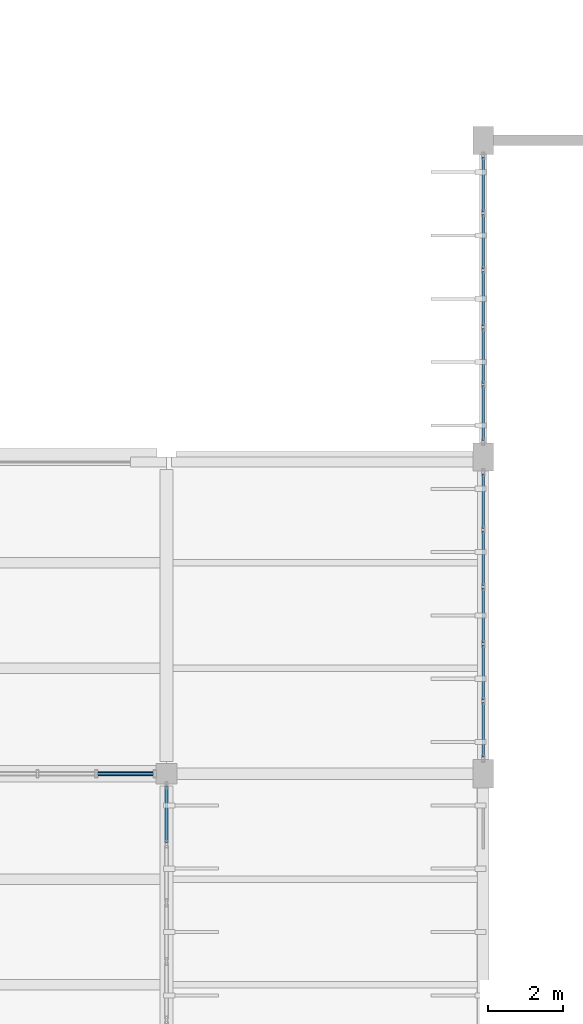
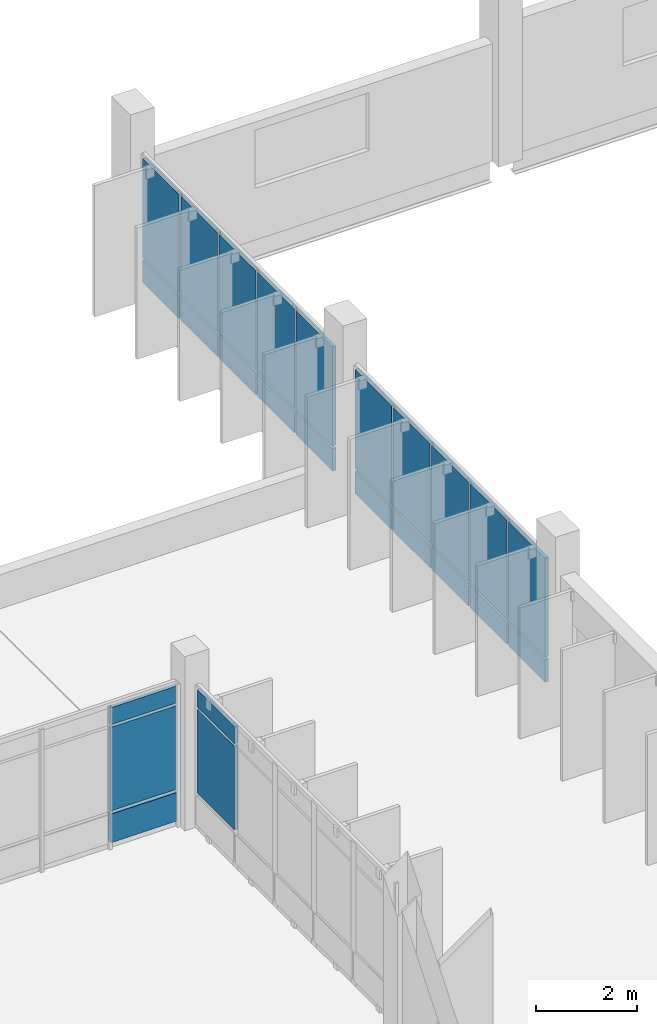
# One storey, part 103 of 130: 25 plates, 4 elements without a shape of their own.
"""IFC4 building model written with IfcOpenShell, lengths in metres."""

from ifc_helpers import new_model, si_unit, direction, frame, origin, origin_2d, place, context, subcontext, project, spatial, rectangle, extrude, material, layer, layer_set, type_object, element, aggregate, save


model = new_model("IFC4")

# Units and contexts
model_context = context("Model", 3, precision=1e-05, world=origin(), true_north=direction((0.0, 1.0)))
body_context = subcontext(model_context, "Body", "Model", "MODEL_VIEW")
ifc_project = project(units=[si_unit("LENGTHUNIT", "METRE"), si_unit("AREAUNIT", "SQUARE_METRE"), si_unit("VOLUMEUNIT", "CUBIC_METRE"), si_unit("PLANEANGLEUNIT", "RADIAN"), si_unit("MASSUNIT", "GRAM", prefix="KILO")], contexts=[model_context])

# Site, building, storey
site_placement = place(None, origin())
site = spatial("IfcSite", under=ifc_project, at=site_placement, CompositionType="ELEMENT")
building_placement = place(site_placement, origin())
building = spatial("IfcBuilding", under=site, at=building_placement, Name="Vireocrest Preparatory School", CompositionType="ELEMENT")
storey_placement = place(building_placement, frame((0.0, 0.0, 9.0)))
storey = spatial("IfcBuildingStorey", under=building, at=storey_placement, Name="L02", CompositionType="ELEMENT", Elevation=9.0)

# Curtain wall, plates
ifc_material_1 = material(Name="Thermally broken aluminium EN AW-6063-T6", Category="aluminium")
ifc_layer_1 = layer(ifc_material_1, 0.179931640625)
ifc_layer_set_1 = layer_set([ifc_layer_1], Name="Thermally broken aluminium EN AW-6063-T6")
curtain_wall_type_1 = type_object("IfcCurtainWallType", Name="Library Reading Bay Glazing 7600x4200", PredefinedType="USERDEFINED", material=ifc_layer_set_1)
curtain_wall_1_placement = place(storey_placement, origin())
curtain_wall_1 = element("IfcCurtainWall", 1, at=curtain_wall_1_placement, inside=storey, type_object=curtain_wall_type_1, Name="Curtain Wall CW16 CW_L02_CW16_1262_0354_090", ObjectType="CURTAIN WALL", PredefinedType="USERDEFINED")
ifc_material_2 = material(Name="Insulated triple low-e tempered safety glass", Category="glass")
ifc_layer_2 = layer(ifc_material_2, 0.074951171875)
ifc_layer_set_2 = layer_set([ifc_layer_2], Name="Insulated triple low-e tempered safety glass")
plate_type_1 = type_object("IfcPlateType", Name="Acoustic Triple-Glazed Lab Curtain Panel 75", PredefinedType="CURTAIN_PANEL", material=ifc_layer_set_2)
plate_1_placement = place(storey_placement, frame((133.31201171875, 35.39990234375, 0.88232421875), z_axis=(0.0, 0.0, 1.0), x_axis=(1.0, 0.0, 0.0)))
plate_1 = element("IfcPlate", 2, at=plate_1_placement, type_object=plate_type_1, Name="CW Panel GL2 CW_L02_CW16_1262_0354_090-5-2", PredefinedType="CURTAIN_PANEL", context=body_context, shape_type="SweptSolid", body=[
    extrude(rectangle(XDim=1.490966796875, YDim=0.074951171875, at=origin_2d()), origin(), (0.0, 0.0, 1.0), 2.014892578125),
])
plate_2_placement = place(storey_placement, frame((133.31201171875, 35.39990234375, 2.96240234375), z_axis=(0.0, 0.0, 1.0), x_axis=(1.0, 0.0, 0.0)))
plate_2 = element("IfcPlate", 3, at=plate_2_placement, type_object=plate_type_1, Name="CW Panel GL2 CW_L02_CW16_1262_0354_090-5-3", PredefinedType="CURTAIN_PANEL", context=body_context, shape_type="SweptSolid", body=[
    extrude(rectangle(XDim=1.490966796875, YDim=0.074951171875, at=origin_2d()), origin(), (0.0, 0.0, 1.0), 0.409912109375),
])

ifc_layer_3 = layer(ifc_material_1, 0.179931640625)
ifc_layer_set_3 = layer_set([ifc_layer_3], Name="Thermally broken aluminium EN AW-6063-T6")
curtain_wall_type_2 = type_object("IfcCurtainWallType", Name="Teaching Fin Curtain Wall 8400x4200", PredefinedType="USERDEFINED", material=ifc_layer_set_3)
curtain_wall_2_placement = place(storey_placement, origin())
curtain_wall_2 = element("IfcCurtainWall", 4, at=curtain_wall_2_placement, inside=storey, type_object=curtain_wall_type_2, Name="Curtain Wall CW03 CW_L02_CW03_1344_0272_090", ObjectType="CURTAIN WALL", PredefinedType="USERDEFINED")
plate_3_placement = place(storey_placement, frame((134.39990234375, 34.31201171875, 0.88232421875), z_axis=(0.0, 0.0, 1.0), x_axis=(0.0, 1.0, 0.0)))
plate_3 = element("IfcPlate", 5, at=plate_3_placement, type_object=plate_type_1, Name="CW Panel GL2 CW_L02_CW03_1344_0272_090-5-2", PredefinedType="CURTAIN_PANEL", context=body_context, shape_type="SweptSolid", body=[
    extrude(rectangle(XDim=1.490966796875, YDim=0.074951171875, at=origin_2d()), origin(), (0.0, 0.0, 1.0), 2.014892578125),
])
plate_4_placement = place(storey_placement, frame((134.39990234375, 34.31201171875, 2.96240234375), z_axis=(0.0, 0.0, 1.0), x_axis=(0.0, 1.0, 0.0)))
plate_4 = element("IfcPlate", 6, at=plate_4_placement, type_object=plate_type_1, Name="CW Panel GL2 CW_L02_CW03_1344_0272_090-5-3", PredefinedType="CURTAIN_PANEL", context=body_context, shape_type="SweptSolid", body=[
    extrude(rectangle(XDim=1.490966796875, YDim=0.074951171875, at=origin_2d()), origin(), (0.0, 0.0, 1.0), 0.409912109375),
])
aggregate(curtain_wall_2, [plate_3, plate_4])

curtain_wall_3_placement = place(storey_placement, origin())
curtain_wall_3 = element("IfcCurtainWall", 7, at=curtain_wall_3_placement, inside=storey, type_object=curtain_wall_type_2, Name="Curtain Wall CW03 CW_L02_CW03_1428_0358_090", ObjectType="CURTAIN WALL", PredefinedType="USERDEFINED")
plate_5_placement = place(storey_placement, frame((142.800048828125, 36.568115234375, 0.12744140625), z_axis=(0.0, 0.0, 1.0), x_axis=(0.0, 1.0, 0.0)))
plate_5 = element("IfcPlate", 8, at=plate_5_placement, type_object=plate_type_1, Name="CW Panel GL2 CW_L02_CW03_1428_0358_090-1-1", PredefinedType="CURTAIN_PANEL", context=body_context, shape_type="SweptSolid", body=[
    extrude(rectangle(XDim=1.450927734375, YDim=0.074951171875, at=origin_2d()), origin(), (0.0, 0.0, 1.0), 0.5400390625),
])
plate_6_placement = place(storey_placement, frame((142.800048828125, 36.568115234375, 0.732421875), z_axis=(0.0, 0.0, 1.0), x_axis=(0.0, 1.0, 0.0)))
plate_6 = element("IfcPlate", 9, at=plate_6_placement, type_object=plate_type_1, Name="CW Panel GL2 CW_L02_CW03_1428_0358_090-1-2", PredefinedType="CURTAIN_PANEL", context=body_context, shape_type="SweptSolid", body=[
    extrude(rectangle(XDim=1.450927734375, YDim=0.074951171875, at=origin_2d()), origin(), (0.0, 0.0, 1.0), 2.386962890625),
])
plate_7_placement = place(storey_placement, frame((142.800048828125, 38.083984375, 0.12744140625), z_axis=(0.0, 0.0, 1.0), x_axis=(0.0, 1.0, 0.0)))
plate_7 = element("IfcPlate", 10, at=plate_7_placement, type_object=plate_type_1, Name="CW Panel GL2 CW_L02_CW03_1428_0358_090-2-1", PredefinedType="CURTAIN_PANEL", context=body_context, shape_type="SweptSolid", body=[
    extrude(rectangle(XDim=1.450927734375, YDim=0.074951171875, at=origin_2d()), origin(), (0.0, 0.0, 1.0), 0.5400390625),
])
plate_8_placement = place(storey_placement, frame((142.800048828125, 38.083984375, 0.732421875), z_axis=(0.0, 0.0, 1.0), x_axis=(0.0, 1.0, 0.0)))
plate_8 = element("IfcPlate", 11, at=plate_8_placement, type_object=plate_type_1, Name="CW Panel GL2 CW_L02_CW03_1428_0358_090-2-2", PredefinedType="CURTAIN_PANEL", context=body_context, shape_type="SweptSolid", body=[
    extrude(rectangle(XDim=1.450927734375, YDim=0.074951171875, at=origin_2d()), origin(), (0.0, 0.0, 1.0), 2.386962890625),
])
plate_9_placement = place(storey_placement, frame((142.800048828125, 39.60009765625, 0.12744140625), z_axis=(0.0, 0.0, 1.0), x_axis=(0.0, 1.0, 0.0)))
plate_9 = element("IfcPlate", 12, at=plate_9_placement, type_object=plate_type_1, Name="CW Panel GL2 CW_L02_CW03_1428_0358_090-3-1", PredefinedType="CURTAIN_PANEL", context=body_context, shape_type="SweptSolid", body=[
    extrude(rectangle(XDim=1.450927734375, YDim=0.074951171875, at=origin_2d()), origin(), (0.0, 0.0, 1.0), 0.5400390625),
])
plate_10_placement = place(storey_placement, frame((142.800048828125, 39.60009765625, 0.732421875), z_axis=(0.0, 0.0, 1.0), x_axis=(0.0, 1.0, 0.0)))
plate_10 = element("IfcPlate", 13, at=plate_10_placement, type_object=plate_type_1, Name="CW Panel GL2 CW_L02_CW03_1428_0358_090-3-2", PredefinedType="CURTAIN_PANEL", context=body_context, shape_type="SweptSolid", body=[
    extrude(rectangle(XDim=1.450927734375, YDim=0.074951171875, at=origin_2d()), origin(), (0.0, 0.0, 1.0), 2.386962890625),
])
plate_11_placement = place(storey_placement, frame((142.800048828125, 41.115966796875, 0.12744140625), z_axis=(0.0, 0.0, 1.0), x_axis=(0.0, 1.0, 0.0)))
plate_11 = element("IfcPlate", 14, at=plate_11_placement, type_object=plate_type_1, Name="CW Panel GL2 CW_L02_CW03_1428_0358_090-4-1", PredefinedType="CURTAIN_PANEL", context=body_context, shape_type="SweptSolid", body=[
    extrude(rectangle(XDim=1.450927734375, YDim=0.074951171875, at=origin_2d()), origin(), (0.0, 0.0, 1.0), 0.5400390625),
])
plate_12_placement = place(storey_placement, frame((142.800048828125, 41.115966796875, 0.732421875), z_axis=(0.0, 0.0, 1.0), x_axis=(0.0, 1.0, 0.0)))
plate_12 = element("IfcPlate", 15, at=plate_12_placement, type_object=plate_type_1, Name="CW Panel GL2 CW_L02_CW03_1428_0358_090-4-2", PredefinedType="CURTAIN_PANEL", context=body_context, shape_type="SweptSolid", body=[
    extrude(rectangle(XDim=1.450927734375, YDim=0.074951171875, at=origin_2d()), origin(), (0.0, 0.0, 1.0), 2.386962890625),
])
plate_13_placement = place(storey_placement, frame((142.800048828125, 42.632080078125, 0.12744140625), z_axis=(0.0, 0.0, 1.0), x_axis=(0.0, 1.0, 0.0)))
plate_13 = element("IfcPlate", 16, at=plate_13_placement, type_object=plate_type_1, Name="CW Panel GL2 CW_L02_CW03_1428_0358_090-5-1", PredefinedType="CURTAIN_PANEL", context=body_context, shape_type="SweptSolid", body=[
    extrude(rectangle(XDim=1.450927734375, YDim=0.074951171875, at=origin_2d()), origin(), (0.0, 0.0, 1.0), 0.5400390625),
])
plate_14_placement = place(storey_placement, frame((142.800048828125, 42.632080078125, 0.732421875), z_axis=(0.0, 0.0, 1.0), x_axis=(0.0, 1.0, 0.0)))
plate_14 = element("IfcPlate", 17, at=plate_14_placement, type_object=plate_type_1, Name="CW Panel GL2 CW_L02_CW03_1428_0358_090-5-2", PredefinedType="CURTAIN_PANEL", context=body_context, shape_type="SweptSolid", body=[
    extrude(rectangle(XDim=1.450927734375, YDim=0.074951171875, at=origin_2d()), origin(), (0.0, 0.0, 1.0), 2.386962890625),
])
aggregate(curtain_wall_3, [plate_5, plate_6, plate_7, plate_8, plate_9, plate_10, plate_11, plate_12, plate_13, plate_14])

curtain_wall_4_placement = place(storey_placement, origin())
curtain_wall_4 = element("IfcCurtainWall", 18, at=curtain_wall_4_placement, inside=storey, type_object=curtain_wall_type_2, Name="Curtain Wall CW03 CW_L02_CW03_1428_0442_090", ObjectType="CURTAIN WALL", PredefinedType="USERDEFINED")
plate_15_placement = place(storey_placement, frame((142.800048828125, 44.968017578125, 0.12744140625), z_axis=(0.0, 0.0, 1.0), x_axis=(0.0, 1.0, 0.0)))
plate_15 = element("IfcPlate", 19, at=plate_15_placement, type_object=plate_type_1, Name="CW Panel GL2 CW_L02_CW03_1428_0442_090-1-1", PredefinedType="CURTAIN_PANEL", context=body_context, shape_type="SweptSolid", body=[
    extrude(rectangle(XDim=1.450927734375, YDim=0.074951171875, at=origin_2d()), origin(), (0.0, 0.0, 1.0), 0.5400390625),
])
plate_16_placement = place(storey_placement, frame((142.800048828125, 44.968017578125, 0.732421875), z_axis=(0.0, 0.0, 1.0), x_axis=(0.0, 1.0, 0.0)))
plate_16 = element("IfcPlate", 20, at=plate_16_placement, type_object=plate_type_1, Name="CW Panel GL2 CW_L02_CW03_1428_0442_090-1-2", PredefinedType="CURTAIN_PANEL", context=body_context, shape_type="SweptSolid", body=[
    extrude(rectangle(XDim=1.450927734375, YDim=0.074951171875, at=origin_2d()), origin(), (0.0, 0.0, 1.0), 2.386962890625),
])
plate_17_placement = place(storey_placement, frame((142.800048828125, 46.48388671875, 0.12744140625), z_axis=(0.0, 0.0, 1.0), x_axis=(0.0, 1.0, 0.0)))
plate_17 = element("IfcPlate", 21, at=plate_17_placement, type_object=plate_type_1, Name="CW Panel GL2 CW_L02_CW03_1428_0442_090-2-1", PredefinedType="CURTAIN_PANEL", context=body_context, shape_type="SweptSolid", body=[
    extrude(rectangle(XDim=1.450927734375, YDim=0.074951171875, at=origin_2d()), origin(), (0.0, 0.0, 1.0), 0.5400390625),
])
plate_18_placement = place(storey_placement, frame((142.800048828125, 46.48388671875, 0.732421875), z_axis=(0.0, 0.0, 1.0), x_axis=(0.0, 1.0, 0.0)))
plate_18 = element("IfcPlate", 22, at=plate_18_placement, type_object=plate_type_1, Name="CW Panel GL2 CW_L02_CW03_1428_0442_090-2-2", PredefinedType="CURTAIN_PANEL", context=body_context, shape_type="SweptSolid", body=[
    extrude(rectangle(XDim=1.450927734375, YDim=0.074951171875, at=origin_2d()), origin(), (0.0, 0.0, 1.0), 2.386962890625),
])
plate_19_placement = place(storey_placement, frame((142.800048828125, 48.0, 0.12744140625), z_axis=(0.0, 0.0, 1.0), x_axis=(0.0, 1.0, 0.0)))
plate_19 = element("IfcPlate", 23, at=plate_19_placement, type_object=plate_type_1, Name="CW Panel GL2 CW_L02_CW03_1428_0442_090-3-1", PredefinedType="CURTAIN_PANEL", context=body_context, shape_type="SweptSolid", body=[
    extrude(rectangle(XDim=1.450927734375, YDim=0.074951171875, at=origin_2d()), origin(), (0.0, 0.0, 1.0), 0.5400390625),
])
plate_20_placement = place(storey_placement, frame((142.800048828125, 48.0, 0.732421875), z_axis=(0.0, 0.0, 1.0), x_axis=(0.0, 1.0, 0.0)))
plate_20 = element("IfcPlate", 24, at=plate_20_placement, type_object=plate_type_1, Name="CW Panel GL2 CW_L02_CW03_1428_0442_090-3-2", PredefinedType="CURTAIN_PANEL", context=body_context, shape_type="SweptSolid", body=[
    extrude(rectangle(XDim=1.450927734375, YDim=0.074951171875, at=origin_2d()), origin(), (0.0, 0.0, 1.0), 2.386962890625),
])
plate_21_placement = place(storey_placement, frame((142.800048828125, 49.51611328125, 0.12744140625), z_axis=(0.0, 0.0, 1.0), x_axis=(0.0, 1.0, 0.0)))
plate_21 = element("IfcPlate", 25, at=plate_21_placement, type_object=plate_type_1, Name="CW Panel GL2 CW_L02_CW03_1428_0442_090-4-1", PredefinedType="CURTAIN_PANEL", context=body_context, shape_type="SweptSolid", body=[
    extrude(rectangle(XDim=1.450927734375, YDim=0.074951171875, at=origin_2d()), origin(), (0.0, 0.0, 1.0), 0.5400390625),
])
plate_22_placement = place(storey_placement, frame((142.800048828125, 49.51611328125, 0.732421875), z_axis=(0.0, 0.0, 1.0), x_axis=(0.0, 1.0, 0.0)))
plate_22 = element("IfcPlate", 26, at=plate_22_placement, type_object=plate_type_1, Name="CW Panel GL2 CW_L02_CW03_1428_0442_090-4-2", PredefinedType="CURTAIN_PANEL", context=body_context, shape_type="SweptSolid", body=[
    extrude(rectangle(XDim=1.450927734375, YDim=0.074951171875, at=origin_2d()), origin(), (0.0, 0.0, 1.0), 2.386962890625),
])
plate_23_placement = place(storey_placement, frame((142.800048828125, 51.031982421875, 0.12744140625), z_axis=(0.0, 0.0, 1.0), x_axis=(0.0, 1.0, 0.0)))
plate_23 = element("IfcPlate", 27, at=plate_23_placement, type_object=plate_type_1, Name="CW Panel GL2 CW_L02_CW03_1428_0442_090-5-1", PredefinedType="CURTAIN_PANEL", context=body_context, shape_type="SweptSolid", body=[
    extrude(rectangle(XDim=1.450927734375, YDim=0.074951171875, at=origin_2d()), origin(), (0.0, 0.0, 1.0), 0.5400390625),
])
plate_24_placement = place(storey_placement, frame((142.800048828125, 51.031982421875, 0.732421875), z_axis=(0.0, 0.0, 1.0), x_axis=(0.0, 1.0, 0.0)))
plate_24 = element("IfcPlate", 28, at=plate_24_placement, type_object=plate_type_1, Name="CW Panel GL2 CW_L02_CW03_1428_0442_090-5-2", PredefinedType="CURTAIN_PANEL", context=body_context, shape_type="SweptSolid", body=[
    extrude(rectangle(XDim=1.450927734375, YDim=0.074951171875, at=origin_2d()), origin(), (0.0, 0.0, 1.0), 2.386962890625),
])
aggregate(curtain_wall_4, [plate_15, plate_16, plate_17, plate_18, plate_19, plate_20, plate_21, plate_22, plate_23, plate_24])

# Plate
ifc_material_3 = material(Name="Painted white aluminium cladding EN AW-6063-T6", Category="aluminium")
ifc_layer_4 = layer(ifc_material_3, 0.114990234375)
ifc_layer_set_4 = layer_set([ifc_layer_4], Name="Painted white aluminium cladding EN AW-6063-T6")
plate_type_2 = type_object("IfcPlateType", Name="Insulated White Spandrel Curtain Panel 115", PredefinedType="CURTAIN_PANEL", material=ifc_layer_set_4)
plate_25_placement = place(storey_placement, frame((133.31201171875, 35.39990234375, 0.12744140625), z_axis=(0.0, 0.0, 1.0), x_axis=(1.0, 0.0, 0.0)))
plate_25 = element("IfcPlate", 29, at=plate_25_placement, type_object=plate_type_2, Name="CW Panel SP2 CW_L02_CW16_1262_0354_090-5-1", PredefinedType="CURTAIN_PANEL", context=body_context, shape_type="SweptSolid", body=[
    extrude(rectangle(XDim=1.490966796875, YDim=0.114990234375, at=origin_2d()), origin(), (0.0, 0.0, 1.0), 0.68994140625),
])

aggregate(curtain_wall_1, [plate_25, plate_1, plate_2])

save(model, "model.ifc")
